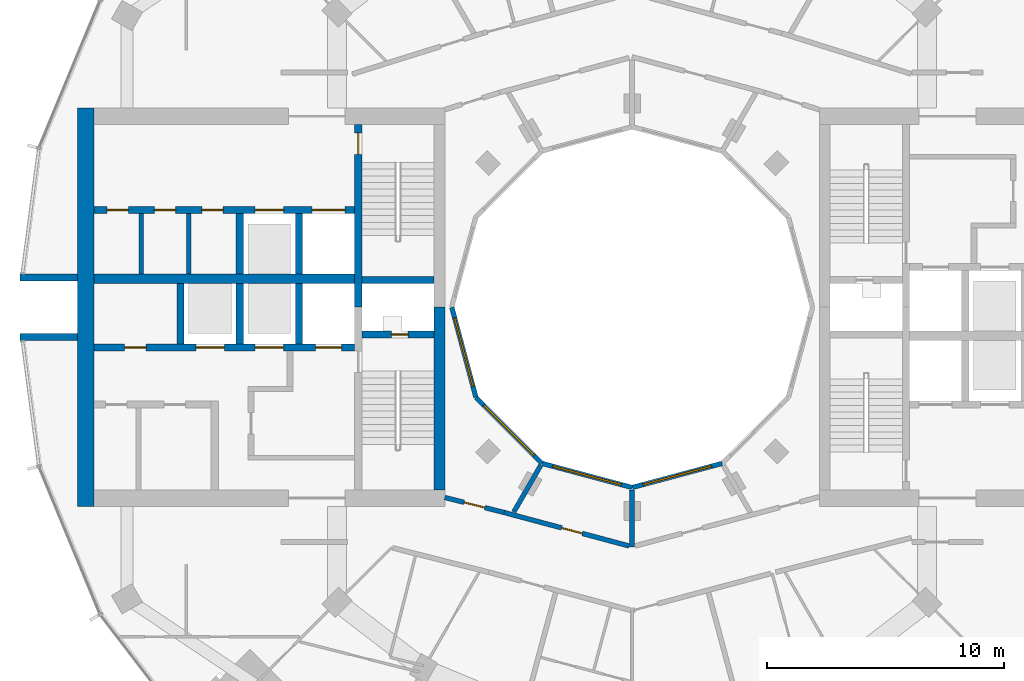
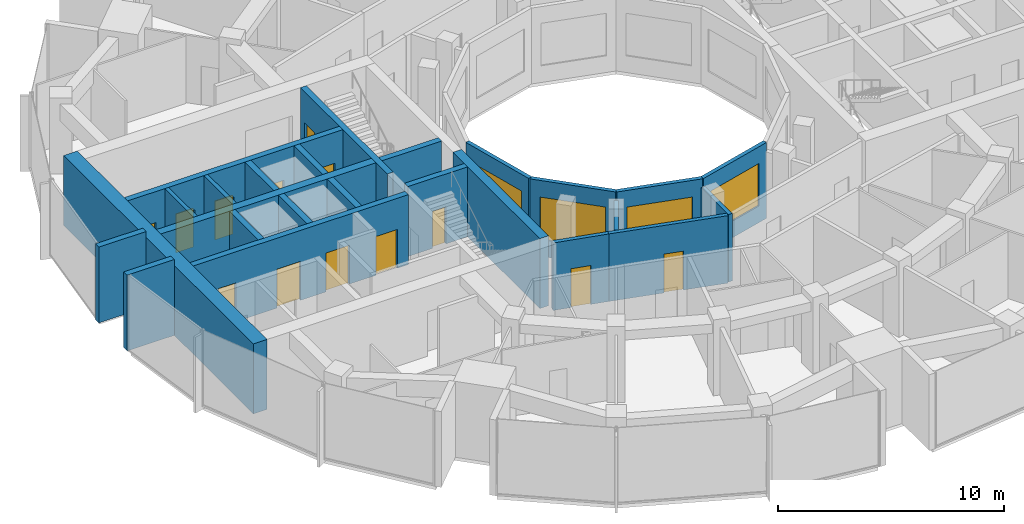
# One storey, part 9 of 15: 25 walls, 13 doors, 4 windows, 17 openings.
"""IFC4 building model written with IfcOpenShell, lengths in metres."""

from ifc_helpers import new_model, si_unit, direction, frame, frame_2d, origin, place, context, subcontext, project, spatial, rectangle, extrude, material, layer, layer_set, type_object, element, fill, save


model = new_model("IFC4")

# Units and contexts
model_context = context("Model", 3, precision=1e-05, world=origin(), true_north=direction((0.0, 1.0)))
body_context = subcontext(model_context, "Body", "Model", "MODEL_VIEW")
ifc_project = project(units=[si_unit("LENGTHUNIT", "METRE"), si_unit("AREAUNIT", "SQUARE_METRE"), si_unit("VOLUMEUNIT", "CUBIC_METRE"), si_unit("PLANEANGLEUNIT", "RADIAN"), si_unit("MASSUNIT", "GRAM", prefix="KILO")], contexts=[model_context])

# Site, building, storey
site_placement = place(None, origin())
site = spatial("IfcSite", under=ifc_project, at=site_placement, CompositionType="ELEMENT")
building_placement = place(site_placement, origin())
building = spatial("IfcBuilding", under=site, at=building_placement, Name="Torre Brocal", CompositionType="ELEMENT")
storey_placement = place(building_placement, frame((0.0, 0.0, 186.39990234375)))
storey = spatial("IfcBuildingStorey", under=building, at=storey_placement, Name="L43", CompositionType="ELEMENT", Elevation=186.39990234375)

# Walls
ifc_material_1 = material(Name="Masonry block", Category="masonry")
ifc_layer_1 = layer(ifc_material_1, 0.199951171875)
ifc_layer_set_1 = layer_set([ifc_layer_1], Name="Masonry block")
wall_type_1 = type_object("IfcWallType", Name="CORE PARTITION 200", PredefinedType="PARTITIONING", material=ifc_layer_set_1)
for number, where, z_axis, x_axis, name in (
    (1, (61.300048828125, 78.949951171875, 0.0), (0.0, 0.0, 1.0), (0.0, -1.0, 0.0), "Wall CP200"),
    (2, (59.300048828125, 78.949951171875, 0.0), (0.0, 0.0, 1.0), (0.0, -1.0, 0.0), "Wall CP200"),
):
    element("IfcWall", number, at=place(storey_placement, frame(where, z_axis=z_axis, x_axis=x_axis)), inside=storey, type_object=wall_type_1, Name=name, PredefinedType="PARTITIONING", context=body_context, shape_type="SweptSolid", body=[
        extrude(rectangle(XDim=2.550048828125, YDim=0.199951171875, at=frame_2d((1.27490234375, 0.0))), origin(), (0.0, 0.0, 1.0), 3.780029296875),
    ])

# Wall, opening, door
ifc_material_2 = material(Name="Concrete C70", Category="concrete")
ifc_layer_2 = layer(ifc_material_2, 0.300048828125)
ifc_layer_set_2 = layer_set([ifc_layer_2], Name="Concrete C70")
wall_type_2 = type_object("IfcWallType", Name="CORE WALL 300 C70", PredefinedType="SHEAR", material=ifc_layer_set_2)
wall_1_placement = place(storey_placement, frame((68.449951171875, 82.699951171875, 0.0), z_axis=(0.0, 0.0, 1.0), x_axis=(0.0, -1.0, 0.0)))
wall_1 = element("IfcWall", 3, at=wall_1_placement, inside=storey, type_object=wall_type_2, Name="Wall CW300-70", PredefinedType="SHEAR", context=body_context, shape_type="SweptSolid", body=[
    extrude(rectangle(XDim=7.699951171875, YDim=0.300048828125, at=frame_2d((3.85009765625, 0.0))), origin(), (0.0, 0.0, 1.0), 3.780029296875),
])
opening_1_placement = place(wall_1_placement, frame((0.35009765625, 0.0, 0.0)))
opening_1 = element("IfcOpeningElement", 4, at=opening_1_placement, cuts=wall_1, Name="Opening W-D03", PredefinedType="OPENING", context=body_context, shape_type="SweptSolid", body=[
    extrude(rectangle(XDim=0.89990234375, YDim=2.10009765625, at=frame_2d((0.449951171875, 1.050048828125))), frame((0.0, 0.159912109375, 0.0), z_axis=(0.0, -1.0, 0.0), x_axis=(1.0, 0.0, 0.0)), (0.0, 0.0, 1.0), 0.320068359375),
])
ifc_material_3 = material(Name="Steel A653", Category="steel")
door_type_1 = type_object("IfcDoorType", Name="STAIR DOOR FD120 900X2100", OperationType="SINGLE_SWING_RIGHT", PredefinedType="DOOR", material=ifc_material_3)
door_1_placement = place(opening_1_placement, origin())
door_1 = element("IfcDoor", 5, at=door_1_placement, inside=storey, type_object=door_type_1, Name="Door W-D03", OperationType="SINGLE_SWING_LEFT", OverallHeight=2.10009765625, OverallWidth=0.89990234375, PredefinedType="DOOR", context=body_context, shape_type="SweptSolid", body=[
    extrude(rectangle(XDim=0.89990234375, YDim=2.10009765625, at=frame_2d((0.449951171875, 1.050048828125))), frame((0.0, 0.02490234375, 0.0), z_axis=(0.0, -1.0, 0.0), x_axis=(1.0, 0.0, 0.0)), (0.0, 0.0, 1.0), 0.050048828125),
])
fill(opening_1, door_1)

wall_2_placement = place(storey_placement, frame((71.64990234375, 73.85009765625, 0.0), z_axis=(0.0, 0.0, 1.0), x_axis=(-1.0, 0.0, 0.0)))
wall_2 = element("IfcWall", 6, at=wall_2_placement, inside=storey, type_object=wall_type_2, Name="Wall CW300-70", PredefinedType="SHEAR", context=body_context, shape_type="SweptSolid", body=[
    extrude(rectangle(XDim=3.0498046875, YDim=0.300048828125, at=frame_2d((1.52490234375, 0.0))), origin(), (0.0, 0.0, 1.0), 3.780029296875),
])
opening_2_placement = place(wall_2_placement, frame((1.10009765625, 0.0, 0.0)))
opening_2 = element("IfcOpeningElement", 7, at=opening_2_placement, cuts=wall_2, Name="Opening W-D01", PredefinedType="OPENING", context=body_context, shape_type="SweptSolid", body=[
    extrude(rectangle(XDim=0.699951171875, YDim=2.0, at=frame_2d((0.35009765625, 1.0))), frame((0.0, 0.159912109375, 0.0), z_axis=(0.0, -1.0, 0.0), x_axis=(1.0, 0.0, 0.0)), (0.0, 0.0, 1.0), 0.320068359375),
])
ifc_material_4 = material(Name="Steel A653", Category="steel")
door_type_2 = type_object("IfcDoorType", Name="RISER DOOR FD120 700X2000", OperationType="SINGLE_SWING_LEFT", PredefinedType="DOOR", material=ifc_material_4)
door_2_placement = place(opening_2_placement, frame((0.699951171875, 0.0, 0.0), z_axis=(0.0, 0.0, 1.0), x_axis=(-1.0, 0.0, 0.0)))
door_2 = element("IfcDoor", 8, at=door_2_placement, inside=storey, type_object=door_type_2, Name="Door W-D01", OperationType="SINGLE_SWING_RIGHT", OverallHeight=2.0, OverallWidth=0.699951171875, PredefinedType="DOOR", context=body_context, shape_type="SweptSolid", body=[
    extrude(rectangle(XDim=0.699951171875, YDim=2.0, at=frame_2d((0.35009765625, 1.0))), frame((0.0, 0.02490234375, 0.0), z_axis=(0.0, -1.0, 0.0), x_axis=(1.0, 0.0, 0.0)), (0.0, 0.0, 1.0), 0.050048828125),
])
fill(opening_2, door_2)

# Wall
wall_3_placement = place(storey_placement, frame((71.64990234375, 76.14990234375, 0.0), z_axis=(0.0, 0.0, 1.0), x_axis=(-1.0, 0.0, 0.0)))
element("IfcWall", 9, at=wall_3_placement, inside=storey, type_object=wall_type_2, Name="Wall CW300-70", PredefinedType="SHEAR", context=body_context, shape_type="SweptSolid", body=[
    extrude(rectangle(XDim=3.0498046875, YDim=0.300048828125, at=frame_2d((1.52490234375, 0.0))), origin(), (0.0, 0.0, 1.0), 3.780029296875),
])

# Wall, openings, doors
wall_4_placement = place(storey_placement, frame((68.300048828125, 73.300048828125, 0.0), z_axis=(0.0, 0.0, 1.0), x_axis=(-1.0, 0.0, 0.0)))
wall_4 = element("IfcWall", 10, at=wall_4_placement, inside=storey, type_object=wall_type_2, Name="Wall CW300-70", PredefinedType="SHEAR", context=body_context, shape_type="SweptSolid", body=[
    extrude(rectangle(XDim=11.0, YDim=0.300048828125, at=frame_2d((5.5, 0.0))), origin(), (0.0, 0.0, 1.0), 3.780029296875),
])
opening_3_placement = place(wall_4_placement, frame((0.550048828125, 0.0, 0.0)))
opening_3 = element("IfcOpeningElement", 11, at=opening_3_placement, cuts=wall_4, Name="Opening LD", PredefinedType="OPENING", context=body_context, shape_type="SweptSolid", body=[
    extrude(rectangle(XDim=1.10009765625, YDim=2.10009765625, at=frame_2d((0.550048828125, 1.050048828125))), frame((0.0, 0.159912109375, 0.0), z_axis=(0.0, -1.0, 0.0), x_axis=(1.0, 0.0, 0.0)), (0.0, 0.0, 1.0), 0.320068359375),
])
opening_4_placement = place(wall_4_placement, frame((3.0, 0.0, 0.0)))
opening_4 = element("IfcOpeningElement", 12, at=opening_4_placement, cuts=wall_4, Name="Opening LD12", PredefinedType="OPENING", context=body_context, shape_type="SweptSolid", body=[
    extrude(rectangle(XDim=1.199951171875, YDim=2.10009765625, at=frame_2d((0.60009765625, 1.050048828125))), frame((0.0, 0.159912109375, 0.0), z_axis=(0.0, -1.0, 0.0), x_axis=(1.0, 0.0, 0.0)), (0.0, 0.0, 1.0), 0.320068359375),
])
opening_5_placement = place(wall_4_placement, frame((5.5, 0.0, 0.0)))
opening_5 = element("IfcOpeningElement", 13, at=opening_5_placement, cuts=wall_4, Name="Opening LD12", PredefinedType="OPENING", context=body_context, shape_type="SweptSolid", body=[
    extrude(rectangle(XDim=1.199951171875, YDim=2.10009765625, at=frame_2d((0.60009765625, 1.050048828125))), frame((0.0, 0.159912109375, 0.0), z_axis=(0.0, -1.0, 0.0), x_axis=(1.0, 0.0, 0.0)), (0.0, 0.0, 1.0), 0.320068359375),
])
opening_6_placement = place(wall_4_placement, frame((8.800048828125, 0.0, 0.0)))
opening_6 = element("IfcOpeningElement", 14, at=opening_6_placement, cuts=wall_4, Name="Opening W-D04", PredefinedType="OPENING", context=body_context, shape_type="SweptSolid", body=[
    extrude(rectangle(XDim=0.89990234375, YDim=2.10009765625, at=frame_2d((0.449951171875, 1.050048828125))), frame((0.0, 0.159912109375, 0.0), z_axis=(0.0, -1.0, 0.0), x_axis=(1.0, 0.0, 0.0)), (0.0, 0.0, 1.0), 0.320068359375),
])
ifc_material_5 = material(Name="Stainless steel AISI 316", Category="steel")
door_type_3 = type_object("IfcDoorType", Name="LIFT LANDING DOOR 1100X2100", OperationType="DOUBLE_DOOR_SLIDING", PredefinedType="DOOR", material=ifc_material_5)
door_3_placement = place(opening_3_placement, origin())
door_3 = element("IfcDoor", 15, at=door_3_placement, inside=storey, type_object=door_type_3, Name="Door LD", OperationType="DOUBLE_DOOR_SLIDING", OverallHeight=2.10009765625, OverallWidth=1.10009765625, PredefinedType="DOOR", context=body_context, shape_type="SweptSolid", body=[
    extrude(rectangle(XDim=1.10009765625, YDim=2.10009765625, at=frame_2d((0.550048828125, 1.050048828125))), frame((0.0, 0.02490234375, 0.0), z_axis=(0.0, -1.0, 0.0), x_axis=(1.0, 0.0, 0.0)), (0.0, 0.0, 1.0), 0.050048828125),
])
fill(opening_3, door_3)
ifc_material_6 = material(Name="Stainless steel AISI 316", Category="steel")
door_type_4 = type_object("IfcDoorType", Name="LIFT LANDING DOOR 1200X2100", OperationType="DOUBLE_DOOR_SLIDING", PredefinedType="DOOR", material=ifc_material_6)
door_4_placement = place(opening_4_placement, origin())
door_4 = element("IfcDoor", 16, at=door_4_placement, inside=storey, type_object=door_type_4, Name="Door LD12", OperationType="DOUBLE_DOOR_SLIDING", OverallHeight=2.10009765625, OverallWidth=1.199951171875, PredefinedType="DOOR", context=body_context, shape_type="SweptSolid", body=[
    extrude(rectangle(XDim=1.199951171875, YDim=2.10009765625, at=frame_2d((0.60009765625, 1.050048828125))), frame((0.0, 0.02490234375, 0.0), z_axis=(0.0, -1.0, 0.0), x_axis=(1.0, 0.0, 0.0)), (0.0, 0.0, 1.0), 0.050048828125),
])
fill(opening_4, door_4)
door_5_placement = place(opening_5_placement, origin())
door_5 = element("IfcDoor", 17, at=door_5_placement, inside=storey, type_object=door_type_4, Name="Door LD12", OperationType="DOUBLE_DOOR_SLIDING", OverallHeight=2.10009765625, OverallWidth=1.199951171875, PredefinedType="DOOR", context=body_context, shape_type="SweptSolid", body=[
    extrude(rectangle(XDim=1.199951171875, YDim=2.10009765625, at=frame_2d((0.60009765625, 1.050048828125))), frame((0.0, 0.02490234375, 0.0), z_axis=(0.0, -1.0, 0.0), x_axis=(1.0, 0.0, 0.0)), (0.0, 0.0, 1.0), 0.050048828125),
])
fill(opening_5, door_5)
ifc_material_7 = material(Name="Steel A653", Category="steel")
door_type_5 = type_object("IfcDoorType", Name="ROOM DOOR FD30S 900X2100", OperationType="SINGLE_SWING_LEFT", PredefinedType="DOOR", material=ifc_material_7)
door_6_placement = place(opening_6_placement, frame((0.89990234375, 0.0, 0.0), z_axis=(0.0, 0.0, 1.0), x_axis=(-1.0, 0.0, 0.0)))
door_6 = element("IfcDoor", 18, at=door_6_placement, inside=storey, type_object=door_type_5, Name="Door W-D04", OperationType="SINGLE_SWING_LEFT", OverallHeight=2.10009765625, OverallWidth=0.89990234375, PredefinedType="DOOR", context=body_context, shape_type="SweptSolid", body=[
    extrude(rectangle(XDim=0.89990234375, YDim=2.10009765625, at=frame_2d((0.449951171875, 1.050048828125))), frame((0.0, 0.02490234375, 0.0), z_axis=(0.0, -1.0, 0.0), x_axis=(1.0, 0.0, 0.0)), (0.0, 0.0, 1.0), 0.050048828125),
])
fill(opening_6, door_6)

wall_5_placement = place(storey_placement, frame((68.300048828125, 79.10009765625, 0.0), z_axis=(0.0, 0.0, 1.0), x_axis=(-1.0, 0.0, 0.0)))
wall_5 = element("IfcWall", 19, at=wall_5_placement, inside=storey, type_object=wall_type_2, Name="Wall CW300-70", PredefinedType="SHEAR", context=body_context, shape_type="SweptSolid", body=[
    extrude(rectangle(XDim=11.0, YDim=0.300048828125, at=frame_2d((5.5, 0.0))), origin(), (0.0, 0.0, 1.0), 3.780029296875),
])
opening_7_placement = place(wall_5_placement, frame((0.39990234375, 0.0, 0.0)))
opening_7 = element("IfcOpeningElement", 20, at=opening_7_placement, cuts=wall_5, Name="Opening LD14", PredefinedType="OPENING", context=body_context, shape_type="SweptSolid", body=[
    extrude(rectangle(XDim=1.39990234375, YDim=2.10009765625, at=frame_2d((0.699951171875, 1.050048828125))), frame((0.0, 0.159912109375, 0.0), z_axis=(0.0, -1.0, 0.0), x_axis=(1.0, 0.0, 0.0)), (0.0, 0.0, 1.0), 0.320068359375),
])
opening_8_placement = place(wall_5_placement, frame((3.0, 0.0, 0.0)))
opening_8 = element("IfcOpeningElement", 21, at=opening_8_placement, cuts=wall_5, Name="Opening LD12", PredefinedType="OPENING", context=body_context, shape_type="SweptSolid", body=[
    extrude(rectangle(XDim=1.199951171875, YDim=2.10009765625, at=frame_2d((0.60009765625, 1.050048828125))), frame((0.0, 0.159912109375, 0.0), z_axis=(0.0, -1.0, 0.0), x_axis=(1.0, 0.0, 0.0)), (0.0, 0.0, 1.0), 0.320068359375),
])
opening_9_placement = place(wall_5_placement, frame((5.550048828125, 0.0, 0.0)))
opening_9 = element("IfcOpeningElement", 22, at=opening_9_placement, cuts=wall_5, Name="Opening W-D05", PredefinedType="OPENING", context=body_context, shape_type="SweptSolid", body=[
    extrude(rectangle(XDim=0.89990234375, YDim=2.10009765625, at=frame_2d((0.449951171875, 1.050048828125))), frame((0.0, 0.159912109375, 0.0), z_axis=(0.0, -1.0, 0.0), x_axis=(1.0, 0.0, 0.0)), (0.0, 0.0, 1.0), 0.320068359375),
])
opening_10_placement = place(wall_5_placement, frame((7.550048828125, 0.0, 0.0)))
opening_10 = element("IfcOpeningElement", 23, at=opening_10_placement, cuts=wall_5, Name="Opening W-D06", PredefinedType="OPENING", context=body_context, shape_type="SweptSolid", body=[
    extrude(rectangle(XDim=0.89990234375, YDim=2.10009765625, at=frame_2d((0.449951171875, 1.050048828125))), frame((0.0, 0.159912109375, 0.0), z_axis=(0.0, -1.0, 0.0), x_axis=(1.0, 0.0, 0.0)), (0.0, 0.0, 1.0), 0.320068359375),
])
opening_11_placement = place(wall_5_placement, frame((9.550048828125, 0.0, 0.0)))
opening_11 = element("IfcOpeningElement", 24, at=opening_11_placement, cuts=wall_5, Name="Opening W-D07", PredefinedType="OPENING", context=body_context, shape_type="SweptSolid", body=[
    extrude(rectangle(XDim=0.89990234375, YDim=2.10009765625, at=frame_2d((0.449951171875, 1.050048828125))), frame((0.0, 0.159912109375, 0.0), z_axis=(0.0, -1.0, 0.0), x_axis=(1.0, 0.0, 0.0)), (0.0, 0.0, 1.0), 0.320068359375),
])
door_7_placement = place(opening_8_placement, origin())
door_7 = element("IfcDoor", 25, at=door_7_placement, inside=storey, type_object=door_type_4, Name="Door LD12", OperationType="DOUBLE_DOOR_SLIDING", OverallHeight=2.10009765625, OverallWidth=1.199951171875, PredefinedType="DOOR", context=body_context, shape_type="SweptSolid", body=[
    extrude(rectangle(XDim=1.199951171875, YDim=2.10009765625, at=frame_2d((0.60009765625, 1.050048828125))), frame((0.0, 0.02490234375, 0.0), z_axis=(0.0, -1.0, 0.0), x_axis=(1.0, 0.0, 0.0)), (0.0, 0.0, 1.0), 0.050048828125),
])
fill(opening_8, door_7)
ifc_material_8 = material(Name="Stainless steel AISI 316", Category="steel")
door_type_6 = type_object("IfcDoorType", Name="LIFT LANDING DOOR 1400X2100", OperationType="DOUBLE_DOOR_SLIDING", PredefinedType="DOOR", material=ifc_material_8)
door_8_placement = place(opening_7_placement, origin())
door_8 = element("IfcDoor", 26, at=door_8_placement, inside=storey, type_object=door_type_6, Name="Door LD14", OperationType="DOUBLE_DOOR_SLIDING", OverallHeight=2.10009765625, OverallWidth=1.39990234375, PredefinedType="DOOR", context=body_context, shape_type="SweptSolid", body=[
    extrude(rectangle(XDim=1.39990234375, YDim=2.10009765625, at=frame_2d((0.699951171875, 1.050048828125))), frame((0.0, 0.02490234375, 0.0), z_axis=(0.0, -1.0, 0.0), x_axis=(1.0, 0.0, 0.0)), (0.0, 0.0, 1.0), 0.050048828125),
])
fill(opening_7, door_8)
door_9_placement = place(opening_9_placement, origin())
door_9 = element("IfcDoor", 27, at=door_9_placement, inside=storey, type_object=door_type_5, Name="Door W-D05", OperationType="SINGLE_SWING_RIGHT", OverallHeight=2.10009765625, OverallWidth=0.89990234375, PredefinedType="DOOR", context=body_context, shape_type="SweptSolid", body=[
    extrude(rectangle(XDim=0.89990234375, YDim=2.10009765625, at=frame_2d((0.449951171875, 1.050048828125))), frame((0.0, 0.02490234375, 0.0), z_axis=(0.0, -1.0, 0.0), x_axis=(1.0, 0.0, 0.0)), (0.0, 0.0, 1.0), 0.050048828125),
])
fill(opening_9, door_9)
door_10_placement = place(opening_10_placement, origin())
door_10 = element("IfcDoor", 28, at=door_10_placement, inside=storey, type_object=door_type_5, Name="Door W-D06", OperationType="SINGLE_SWING_LEFT", OverallHeight=2.10009765625, OverallWidth=0.89990234375, PredefinedType="DOOR", context=body_context, shape_type="SweptSolid", body=[
    extrude(rectangle(XDim=0.89990234375, YDim=2.10009765625, at=frame_2d((0.449951171875, 1.050048828125))), frame((0.0, 0.02490234375, 0.0), z_axis=(0.0, -1.0, 0.0), x_axis=(1.0, 0.0, 0.0)), (0.0, 0.0, 1.0), 0.050048828125),
])
fill(opening_10, door_10)
door_11_placement = place(opening_11_placement, origin())
door_11 = element("IfcDoor", 29, at=door_11_placement, inside=storey, type_object=door_type_5, Name="Door W-D07", OperationType="SINGLE_SWING_LEFT", OverallHeight=2.10009765625, OverallWidth=0.89990234375, PredefinedType="DOOR", context=body_context, shape_type="SweptSolid", body=[
    extrude(rectangle(XDim=0.89990234375, YDim=2.10009765625, at=frame_2d((0.449951171875, 1.050048828125))), frame((0.0, 0.02490234375, 0.0), z_axis=(0.0, -1.0, 0.0), x_axis=(1.0, 0.0, 0.0)), (0.0, 0.0, 1.0), 0.050048828125),
])
fill(opening_11, door_11)

# Walls
for number, where, z_axis, x_axis, name in (
    (30, (65.949951171875, 76.0, 0.0), (0.0, 0.0, 1.0), (0.0, -1.0, 0.0), "Wall CW300-70"),
    (31, (63.449951171875, 76.0, 0.0), (0.0, 0.0, 1.0), (0.0, -1.0, 0.0), "Wall CW300-70"),
    (32, (60.949951171875, 76.0, 0.0), (0.0, 0.0, 1.0), (0.0, -1.0, 0.0), "Wall CW300-70"),
    (33, (65.949951171875, 78.949951171875, 0.0), (0.0, 0.0, 1.0), (0.0, -1.0, 0.0), "Wall CW300-70"),
    (34, (63.449951171875, 78.949951171875, 0.0), (0.0, 0.0, 1.0), (0.0, -1.0, 0.0), "Wall CW300-70"),
):
    element("IfcWall", number, at=place(storey_placement, frame(where, z_axis=z_axis, x_axis=x_axis)), inside=storey, type_object=wall_type_2, Name=name, PredefinedType="SHEAR", context=body_context, shape_type="SweptSolid", body=[
        extrude(rectangle(XDim=2.550048828125, YDim=0.300048828125, at=frame_2d((1.27490234375, 0.0))), origin(), (0.0, 0.0, 1.0), 3.780029296875),
    ])
ifc_material_9 = material(Name="Concrete C70", Category="concrete")
ifc_layer_3 = layer(ifc_material_9, 0.39990234375)
ifc_layer_set_3 = layer_set([ifc_layer_3], Name="Concrete C70")
wall_type_3 = type_object("IfcWallType", Name="CORE WALL 400 C70", PredefinedType="SHEAR", material=ifc_layer_set_3)
wall_6_placement = place(storey_placement, frame((68.300048828125, 76.199951171875, 0.0), z_axis=(0.0, 0.0, 1.0), x_axis=(-1.0, 0.0, 0.0)))
element("IfcWall", 35, at=wall_6_placement, inside=storey, type_object=wall_type_3, Name="Wall CW400-70", PredefinedType="SHEAR", context=body_context, shape_type="SweptSolid", body=[
    extrude(rectangle(XDim=11.0, YDim=0.39990234375, at=frame_2d((5.5, 0.0))), origin(), (0.0, 0.0, 1.0), 3.780029296875),
])
ifc_material_10 = material(Name="Concrete C70", Category="concrete")
ifc_layer_4 = layer(ifc_material_10, 0.449951171875)
ifc_layer_set_4 = layer_set([ifc_layer_4], Name="Concrete C70")
wall_type_4 = type_object("IfcWallType", Name="CORE WALL 450 C70", PredefinedType="SHEAR", material=ifc_layer_set_4)
wall_7_placement = place(storey_placement, frame((71.875, 75.0, 0.0), z_axis=(0.0, 0.0, 1.0), x_axis=(0.0, -1.0, 0.0)))
element("IfcWall", 36, at=wall_7_placement, inside=storey, type_object=wall_type_4, Name="Wall CW450-70", PredefinedType="SHEAR", context=body_context, shape_type="SweptSolid", body=[
    extrude(rectangle(XDim=7.699951171875, YDim=0.449951171875, at=frame_2d((3.85009765625, 0.0))), origin(), (0.0, 0.0, 1.0), 3.780029296875),
])
ifc_material_11 = material(Name="Concrete C70", Category="concrete")
ifc_layer_5 = layer(ifc_material_11, 0.699951171875)
ifc_layer_set_5 = layer_set([ifc_layer_5], Name="Concrete C70")
wall_type_5 = type_object("IfcWallType", Name="CORE WALL 700 C70", PredefinedType="SHEAR", material=ifc_layer_set_5)
wall_8_placement = place(storey_placement, frame((56.949951171875, 83.39990234375, 0.0), z_axis=(0.0, 0.0, 1.0), x_axis=(0.0, -1.0, 0.0)))
element("IfcWall", 37, at=wall_8_placement, inside=storey, type_object=wall_type_5, Name="Wall CW700-70", PredefinedType="SHEAR", context=body_context, shape_type="SweptSolid", body=[
    extrude(rectangle(XDim=16.7998046875, YDim=0.699951171875, at=frame_2d((8.39990234375, 0.0))), origin(), (0.0, 0.0, 1.0), 3.780029296875),
])
ifc_material_12 = material(Name="Concrete C70", Category="concrete")
ifc_layer_6 = layer(ifc_material_12, 0.300048828125)
ifc_layer_set_6 = layer_set([ifc_layer_6], Name="Concrete C70")
wall_type_6 = type_object("IfcWallType", Name="NOTCH RETURN WALL 300 C70", PredefinedType="NOTDEFINED", material=ifc_layer_set_6)
for number, where, z_axis, x_axis, name in (
    (38, (56.60009765625, 76.25, 0.0), (0.0, 0.0, 1.0), (-1.0, 0.0, 0.0), "NOTCH RETURN WALL"),
    (39, (56.60009765625, 73.75, 0.0), (0.0, 0.0, 1.0), (-1.0, 0.0, 0.0), "NOTCH RETURN WALL"),
):
    element("IfcWall", number, at=place(storey_placement, frame(where, z_axis=z_axis, x_axis=x_axis)), inside=storey, type_object=wall_type_6, Name=name, PredefinedType="NOTDEFINED", context=body_context, shape_type="SweptSolid", body=[
        extrude(rectangle(XDim=2.415771484375, YDim=0.300048828125, at=frame_2d((1.2080078125, 0.0))), origin(), (0.0, 0.0, 1.0), 4.10009765625),
    ])

# Wall, opening, door
ifc_material_13 = material(Name="Gypsum board", Category="Gypsum")
ifc_layer_7 = layer(ifc_material_13, 0.199951171875)
ifc_layer_set_7 = layer_set([ifc_layer_7], Name="Gypsum board")
wall_type_7 = type_object("IfcWallType", Name="PARTITION 200 EI60", PredefinedType="PARTITIONING", material=ifc_layer_set_7)
wall_9_placement = place(storey_placement, frame((72.10009765625, 66.97509765625, 0.0), z_axis=(0.0, 0.0, 1.0), x_axis=(0.969471314457, -0.245204752086, 0.0)))
wall_9 = element("IfcWall", 40, at=wall_9_placement, inside=storey, type_object=wall_type_7, Name="CORRIDOR WALL", PredefinedType="PARTITIONING", context=body_context, shape_type="SweptSolid", body=[
    extrude(rectangle(XDim=2.581787109375, YDim=0.199951171875, at=frame_2d((1.291015625, 0.0))), origin(), (0.0, 0.0, 1.0), 3.650146484375),
])
opening_12_placement = place(wall_9_placement, frame((0.8408203125, 0.0, 0.0)))
opening_12 = element("IfcOpeningElement", 41, at=opening_12_placement, cuts=wall_9, Name="Opening R03-D41", PredefinedType="OPENING", context=body_context, shape_type="SweptSolid", body=[
    extrude(rectangle(XDim=0.89990234375, YDim=2.10009765625, at=frame_2d((0.449951171875, 1.050048828125))), frame((0.0, 0.10986328125, 0.0), z_axis=(0.0, -1.0, 0.0), x_axis=(1.0, 0.0, 0.0)), (0.0, 0.0, 1.0), 0.219970703125),
])
ifc_material_14 = material(Name="Timber", Category="wood")
door_type_7 = type_object("IfcDoorType", Name="ROOM DOOR 900X2100", OperationType="SINGLE_SWING_LEFT", PredefinedType="DOOR", material=ifc_material_14)
door_12_placement = place(opening_12_placement, origin())
door_12 = element("IfcDoor", 42, at=door_12_placement, inside=storey, type_object=door_type_7, Name="R03-D41", OperationType="SINGLE_SWING_LEFT", OverallHeight=2.10009765625, OverallWidth=0.89990234375, PredefinedType="DOOR", context=body_context, shape_type="SweptSolid", body=[
    extrude(rectangle(XDim=0.89990234375, YDim=2.10009765625, at=frame_2d((0.449951171875, 1.050048828125))), frame((0.0, 0.02490234375, 0.0), z_axis=(0.0, -1.0, 0.0), x_axis=(1.0, 0.0, 0.0)), (0.0, 0.0, 1.0), 0.050048828125),
])
fill(opening_12, door_12)

wall_10_placement = place(storey_placement, frame((74.60302734375, 66.342041015625, 0.0), z_axis=(0.0, 0.0, 1.0), x_axis=(0.965920893652, -0.258837453254, 0.0)))
wall_10 = element("IfcWall", 43, at=wall_10_placement, inside=storey, type_object=wall_type_7, Name="CORRIDOR WALL", PredefinedType="PARTITIONING", context=body_context, shape_type="SweptSolid", body=[
    extrude(rectangle(XDim=5.45751953125, YDim=0.199951171875, at=frame_2d((2.728759765625, 0.0))), origin(), (0.0, 0.0, 1.0), 3.650146484375),
])
opening_13_placement = place(wall_10_placement, frame((2.512451171875, 0.0, 0.0)))
opening_13 = element("IfcOpeningElement", 44, at=opening_13_placement, cuts=wall_10, Name="Opening R03-D40", PredefinedType="OPENING", context=body_context, shape_type="SweptSolid", body=[
    extrude(rectangle(XDim=0.89990234375, YDim=2.10009765625, at=frame_2d((0.449951171875, 1.050048828125))), frame((0.0, 0.10986328125, 0.0), z_axis=(0.0, -1.0, 0.0), x_axis=(1.0, 0.0, 0.0)), (0.0, 0.0, 1.0), 0.219970703125),
])
door_13_placement = place(opening_13_placement, origin())
door_13 = element("IfcDoor", 45, at=door_13_placement, inside=storey, type_object=door_type_7, Name="R03-D40", OperationType="SINGLE_SWING_LEFT", OverallHeight=2.10009765625, OverallWidth=0.89990234375, PredefinedType="DOOR", context=body_context, shape_type="SweptSolid", body=[
    extrude(rectangle(XDim=0.89990234375, YDim=2.10009765625, at=frame_2d((0.449951171875, 1.050048828125))), frame((0.0, 0.02490234375, 0.0), z_axis=(0.0, -1.0, 0.0), x_axis=(1.0, 0.0, 0.0)), (0.0, 0.0, 1.0), 0.050048828125),
])
fill(opening_13, door_13)

# Walls
wall_11_placement = place(storey_placement, frame((75.010498046875, 66.364013671875, 0.0), z_axis=(0.0, 0.0, 1.0), x_axis=(0.500097042406, 0.865969369075, 0.0)))
element("IfcWall", 46, at=wall_11_placement, inside=storey, type_object=wall_type_7, Name="SERVICE ROOM WALL", PredefinedType="PARTITIONING", context=body_context, shape_type="SweptSolid", body=[
    extrude(rectangle(XDim=2.275390625, YDim=0.199951171875, at=frame_2d((1.1376953125, 0.0))), origin(), (0.0, 0.0, 1.0), 3.650146484375),
])
wall_12_placement = place(storey_placement, frame((80.0, 64.89599609375, 0.0), z_axis=(0.0, 0.0, 1.0), x_axis=(0.0, 1.0, 0.0)))
element("IfcWall", 47, at=wall_12_placement, inside=storey, type_object=wall_type_7, Name="SERVICE ROOM WALL", PredefinedType="PARTITIONING", context=body_context, shape_type="SweptSolid", body=[
    extrude(rectangle(XDim=2.405029296875, YDim=0.199951171875, at=frame_2d((1.20263671875, 0.0))), origin(), (0.0, 0.0, 1.0), 3.650146484375),
])

# Wall, opening, window
ifc_material_15 = material(Name="Concrete C40", Category="concrete")
ifc_layer_8 = layer(ifc_material_15, 0.199951171875)
ifc_layer_set_8 = layer_set([ifc_layer_8], Name="Concrete C40")
wall_type_8 = type_object("IfcWallType", Name="WELL FACADE WALL 200", PredefinedType="NOTDEFINED", material=ifc_layer_set_8)
wall_13_placement = place(storey_placement, frame((72.396484375, 75.0, 0.0), z_axis=(0.0, 0.0, 1.0), x_axis=(0.258789828301, -0.965933654434, 0.0)))
wall_13 = element("IfcWall", 48, at=wall_13_placement, inside=storey, type_object=wall_type_8, Name="WELL FACADE WALL", PredefinedType="NOTDEFINED", context=body_context, shape_type="SweptSolid", body=[
    extrude(rectangle(XDim=3.935791015625, YDim=0.199951171875, at=frame_2d((1.9677734375, 0.0))), origin(), (0.0, 0.0, 1.0), 4.10009765625),
])
opening_14_placement = place(wall_13_placement, frame((0.468017578125, 0.0, 0.89990234375)))
opening_14 = element("IfcOpeningElement", 49, at=opening_14_placement, cuts=wall_13, Name="Opening W1", PredefinedType="OPENING", context=body_context, shape_type="SweptSolid", body=[
    extrude(rectangle(XDim=3.0, YDim=2.300048828125, at=frame_2d((1.5, 1.14990234375))), frame((0.0, 0.10986328125, 0.0), z_axis=(0.0, -1.0, 0.0), x_axis=(1.0, 0.0, 0.0)), (0.0, 0.0, 1.0), 0.219970703125),
])
ifc_material_16 = material(Name="Aluminium and glass", Category="aluminium")
window_type = type_object("IfcWindowType", Name="WELL WINDOW 3000X2300", PartitioningType="SINGLE_PANEL", PredefinedType="WINDOW", material=ifc_material_16)
window_1_placement = place(opening_14_placement, origin())
window_1 = element("IfcWindow", 50, at=window_1_placement, inside=storey, type_object=window_type, Name="WELL WINDOW 3000X2300", OverallHeight=2.300048828125, OverallWidth=3.0, PartitioningType="SINGLE_PANEL", PredefinedType="WINDOW", context=body_context, shape_type="SweptSolid", body=[
    extrude(rectangle(XDim=3.0, YDim=2.300048828125, at=frame_2d((1.5, 1.14990234375))), frame((0.0, 0.030029296875, 0.0), z_axis=(0.0, -1.0, 0.0), x_axis=(1.0, 0.0, 0.0)), (0.0, 0.0, 1.0), 0.06005859375),
])
fill(opening_14, window_1)

wall_14_placement = place(storey_placement, frame((73.4150390625, 71.1982421875, 0.0), z_axis=(0.0, 0.0, 1.0), x_axis=(0.707106781187, -0.707106781187, 0.0)))
wall_14 = element("IfcWall", 51, at=wall_14_placement, inside=storey, type_object=wall_type_8, Name="WELL FACADE WALL", PredefinedType="NOTDEFINED", context=body_context, shape_type="SweptSolid", body=[
    extrude(rectangle(XDim=3.93603515625, YDim=0.199951171875, at=frame_2d((1.968017578125, 0.0))), origin(), (0.0, 0.0, 1.0), 4.10009765625),
])
opening_15_placement = place(wall_14_placement, frame((0.468017578125, 0.0, 0.89990234375)))
opening_15 = element("IfcOpeningElement", 52, at=opening_15_placement, cuts=wall_14, Name="Opening W1", PredefinedType="OPENING", context=body_context, shape_type="SweptSolid", body=[
    extrude(rectangle(XDim=3.0, YDim=2.300048828125, at=frame_2d((1.5, 1.14990234375))), frame((0.0, 0.10986328125, 0.0), z_axis=(0.0, -1.0, 0.0), x_axis=(1.0, 0.0, 0.0)), (0.0, 0.0, 1.0), 0.219970703125),
])
window_2_placement = place(opening_15_placement, origin())
window_2 = element("IfcWindow", 53, at=window_2_placement, inside=storey, type_object=window_type, Name="WELL WINDOW 3000X2300", OverallHeight=2.300048828125, OverallWidth=3.0, PartitioningType="SINGLE_PANEL", PredefinedType="WINDOW", context=body_context, shape_type="SweptSolid", body=[
    extrude(rectangle(XDim=3.0, YDim=2.300048828125, at=frame_2d((1.5, 1.14990234375))), frame((0.0, 0.030029296875, 0.0), z_axis=(0.0, -1.0, 0.0), x_axis=(1.0, 0.0, 0.0)), (0.0, 0.0, 1.0), 0.06005859375),
])
fill(opening_15, window_2)

wall_15_placement = place(storey_placement, frame((76.1982421875, 68.4150390625, 0.0), z_axis=(0.0, 0.0, 1.0), x_axis=(0.965933654434, -0.258789828301, 0.0)))
wall_15 = element("IfcWall", 54, at=wall_15_placement, inside=storey, type_object=wall_type_8, Name="WELL FACADE WALL", PredefinedType="NOTDEFINED", context=body_context, shape_type="SweptSolid", body=[
    extrude(rectangle(XDim=3.935791015625, YDim=0.199951171875, at=frame_2d((1.9677734375, 0.0))), origin(), (0.0, 0.0, 1.0), 4.10009765625),
])
opening_16_placement = place(wall_15_placement, frame((0.468017578125, 0.0, 0.89990234375)))
opening_16 = element("IfcOpeningElement", 55, at=opening_16_placement, cuts=wall_15, Name="Opening W1", PredefinedType="OPENING", context=body_context, shape_type="SweptSolid", body=[
    extrude(rectangle(XDim=3.0, YDim=2.300048828125, at=frame_2d((1.5, 1.14990234375))), frame((0.0, 0.10986328125, 0.0), z_axis=(0.0, -1.0, 0.0), x_axis=(1.0, 0.0, 0.0)), (0.0, 0.0, 1.0), 0.219970703125),
])
window_3_placement = place(opening_16_placement, origin())
window_3 = element("IfcWindow", 56, at=window_3_placement, inside=storey, type_object=window_type, Name="WELL WINDOW 3000X2300", OverallHeight=2.300048828125, OverallWidth=3.0, PartitioningType="SINGLE_PANEL", PredefinedType="WINDOW", context=body_context, shape_type="SweptSolid", body=[
    extrude(rectangle(XDim=3.0, YDim=2.300048828125, at=frame_2d((1.5, 1.14990234375))), frame((0.0, 0.030029296875, 0.0), z_axis=(0.0, -1.0, 0.0), x_axis=(1.0, 0.0, 0.0)), (0.0, 0.0, 1.0), 0.06005859375),
])
fill(opening_16, window_3)

wall_16_placement = place(storey_placement, frame((80.0, 67.396484375, 0.0), z_axis=(0.0, 0.0, 1.0), x_axis=(0.965933654434, 0.258789828301, 0.0)))
wall_16 = element("IfcWall", 57, at=wall_16_placement, inside=storey, type_object=wall_type_8, Name="WELL FACADE WALL", PredefinedType="NOTDEFINED", context=body_context, shape_type="SweptSolid", body=[
    extrude(rectangle(XDim=3.935791015625, YDim=0.199951171875, at=frame_2d((1.9677734375, 0.0))), origin(), (0.0, 0.0, 1.0), 4.10009765625),
])
opening_17_placement = place(wall_16_placement, frame((0.468017578125, 0.0, 0.89990234375)))
opening_17 = element("IfcOpeningElement", 58, at=opening_17_placement, cuts=wall_16, Name="Opening W1", PredefinedType="OPENING", context=body_context, shape_type="SweptSolid", body=[
    extrude(rectangle(XDim=3.0, YDim=2.300048828125, at=frame_2d((1.5, 1.14990234375))), frame((0.0, 0.10986328125, 0.0), z_axis=(0.0, -1.0, 0.0), x_axis=(1.0, 0.0, 0.0)), (0.0, 0.0, 1.0), 0.219970703125),
])
window_4_placement = place(opening_17_placement, origin())
window_4 = element("IfcWindow", 59, at=window_4_placement, inside=storey, type_object=window_type, Name="WELL WINDOW 3000X2300", OverallHeight=2.300048828125, OverallWidth=3.0, PartitioningType="SINGLE_PANEL", PredefinedType="WINDOW", context=body_context, shape_type="SweptSolid", body=[
    extrude(rectangle(XDim=3.0, YDim=2.300048828125, at=frame_2d((1.5, 1.14990234375))), frame((0.0, 0.030029296875, 0.0), z_axis=(0.0, -1.0, 0.0), x_axis=(1.0, 0.0, 0.0)), (0.0, 0.0, 1.0), 0.06005859375),
])
fill(opening_17, window_4)

save(model, "model.ifc")
